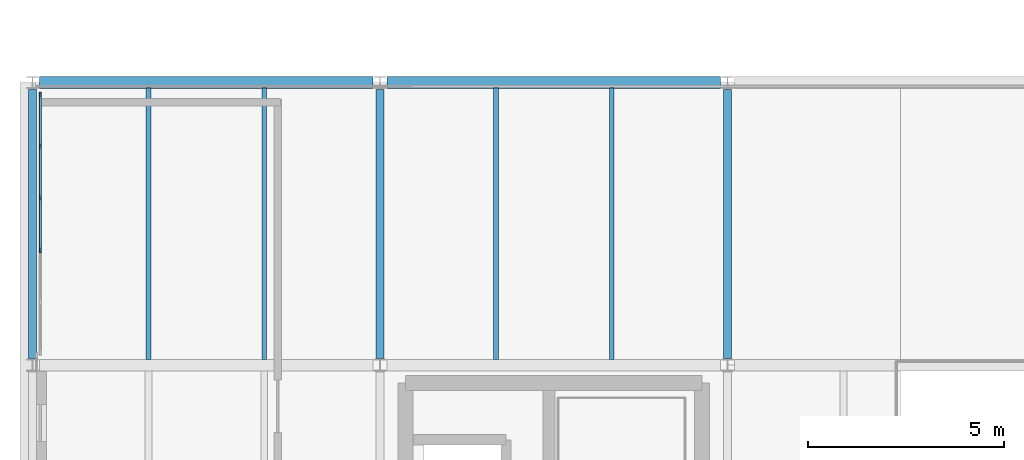
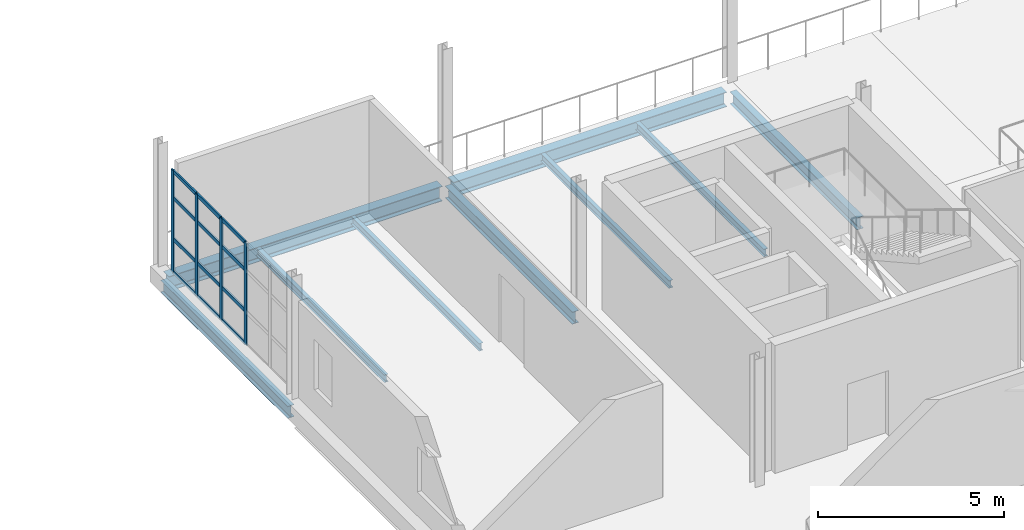
# One storey, part 20 of 58: 16 members, 9 beams, 1 element without a shape of its own.
"""IFC4 building model written with IfcOpenShell, lengths in metres."""

from ifc_helpers import new_model, si_unit, direction, frame, origin, origin_2d, place, context, subcontext, project, spatial, rectangle, i_section, extrude, material, layer, layer_set, material_profile, profile_set, type_object, element, aggregate, save


model = new_model("IFC4")

# Units and contexts
model_context = context("Model", 3, precision=1e-05, world=origin(), true_north=direction((0.0, 1.0)))
body_context = subcontext(model_context, "Body", "Model", "MODEL_VIEW")
ifc_project = project(units=[si_unit("LENGTHUNIT", "METRE"), si_unit("AREAUNIT", "SQUARE_METRE"), si_unit("VOLUMEUNIT", "CUBIC_METRE"), si_unit("PLANEANGLEUNIT", "RADIAN"), si_unit("MASSUNIT", "GRAM", prefix="KILO")], contexts=[model_context])

# Site, building, storey
site_placement = place(None, origin())
site = spatial("IfcSite", under=ifc_project, at=site_placement, CompositionType="ELEMENT")
building_placement = place(site_placement, origin())
building = spatial("IfcBuilding", under=site, at=building_placement, Name="Yeouljin Market Hall", CompositionType="ELEMENT")
storey_placement = place(building_placement, frame((0.0, 0.0, 10.800048828125)))
storey = spatial("IfcBuildingStorey", under=building, at=storey_placement, Name="L02", CompositionType="ELEMENT", Elevation=10.800048828125)

# Beams
ifc_material_1 = material(Name="Steel SM355", Category="steel")
ifc_material_profile_1 = material_profile(ifc_material_1, i_section(OverallWidth=0.199951171875, OverallDepth=0.39990234375, WebThickness=0.008056640625, FlangeThickness=0.012939453125, FilletRadius=0.01611328125, at=origin_2d()), Name="H-400x200x8x13")
ifc_profile_set_1 = profile_set([ifc_material_profile_1], Name="Steel SM355")
beam_type_1 = type_object("IfcBeamType", Name="Beam_H-400x200x8x13", PredefinedType="BEAM", material=ifc_profile_set_1)
for number, where, z_axis, x_axis, name in (
    (1, (0.0, 28.97509765625, -0.465087890625), (0.0, 1.0, 0.0), (-1.0, 0.0, 0.0), "Primary beam BM-L02-Y080"),
    (2, (8.85009765625, 28.97509765625, -0.465087890625), (0.0, 1.0, 0.0), (-1.0, 0.0, 0.0), "Primary beam BM-L02-Y084"),
    (3, (17.699951171875, 28.97509765625, -0.465087890625), (0.0, 1.0, 0.0), (-1.0, 0.0, 0.0), "Primary beam BM-L02-Y088"),
):
    element("IfcBeam", number, at=place(storey_placement, frame(where, z_axis=z_axis, x_axis=x_axis)), inside=storey, type_object=beam_type_1, Name=name, PredefinedType="BEAM", context=body_context, shape_type="SweptSolid", body=[
        extrude(i_section(OverallWidth=0.199951171875, OverallDepth=0.39990234375, WebThickness=0.008056640625, FlangeThickness=0.012939453125, FilletRadius=0.01611328125, at=origin_2d()), origin(), (0.0, 0.0, 1.0), 6.849853515625),
    ])

# Curtain wall, members
ifc_material_2 = material(Name="Thermally Broken Aluminium", Category="aluminium")
ifc_layer = layer(ifc_material_2, 0.14990234375)
ifc_layer_set = layer_set([ifc_layer], Name="Thermally Broken Aluminium")
curtain_wall_type = type_object("IfcCurtainWallType", Name="CW_AcademyRibbon_System", PredefinedType="USERDEFINED", material=ifc_layer_set)
curtain_wall_placement = place(storey_placement, origin())
curtain_wall = element("IfcCurtainWall", 4, at=curtain_wall_placement, inside=storey, type_object=curtain_wall_type, Name="Curtain wall CW-L02-W07", ObjectType="CURTAIN WALL", PredefinedType="USERDEFINED")
ifc_material_3 = material(Name="Thermally Broken Aluminium", Category="aluminium")
ifc_material_profile_2 = material_profile(ifc_material_3, rectangle(XDim=0.048095703125, YDim=0.14990234375, at=origin_2d()), Name="CW-MULL-48x150")
ifc_profile_set_2 = profile_set([ifc_material_profile_2], Name="Thermally Broken Aluminium")
member_type_1 = type_object("IfcMemberType", Name="CWMullion_48x150", PredefinedType="MULLION", material=ifc_profile_set_2)
member_1_placement = place(storey_placement, frame((0.199951171875, 31.739990234375, 0.0), z_axis=(0.0, 0.0, 1.0), x_axis=(-1.0, 0.0, 0.0)))
member_1 = element("IfcMember", 5, at=member_1_placement, type_object=member_type_1, Name="CW-05 mullion 3", PredefinedType="MULLION", context=body_context, shape_type="SweptSolid", body=[
    extrude(rectangle(XDim=0.048095703125, YDim=0.14990234375, at=origin_2d()), origin(), (0.0, 0.0, 1.0), 3.349853515625),
])
member_2_placement = place(storey_placement, frame((0.199951171875, 33.06005859375, 0.0), z_axis=(0.0, 0.0, 1.0), x_axis=(-1.0, 0.0, 0.0)))
member_2 = element("IfcMember", 6, at=member_2_placement, type_object=member_type_1, Name="CW-05 mullion 4", PredefinedType="MULLION", context=body_context, shape_type="SweptSolid", body=[
    extrude(rectangle(XDim=0.048095703125, YDim=0.14990234375, at=origin_2d()), origin(), (0.0, 0.0, 1.0), 3.349853515625),
])
member_3_placement = place(storey_placement, frame((0.199951171875, 34.3798828125, 0.0), z_axis=(0.0, 0.0, 1.0), x_axis=(-1.0, 0.0, 0.0)))
member_3 = element("IfcMember", 7, at=member_3_placement, type_object=member_type_1, Name="CW-05 mullion 5", PredefinedType="MULLION", context=body_context, shape_type="SweptSolid", body=[
    extrude(rectangle(XDim=0.048095703125, YDim=0.14990234375, at=origin_2d()), origin(), (0.0, 0.0, 1.0), 3.349853515625),
])
member_4_placement = place(storey_placement, frame((0.199951171875, 35.676025390625, 0.0), z_axis=(0.0, 0.0, 1.0), x_axis=(-1.0, 0.0, 0.0)))
member_4 = element("IfcMember", 8, at=member_4_placement, type_object=member_type_1, Name="CW-05 mullion 6", PredefinedType="MULLION", context=body_context, shape_type="SweptSolid", body=[
    extrude(rectangle(XDim=0.048095703125, YDim=0.14990234375, at=origin_2d()), origin(), (0.0, 0.0, 1.0), 3.349853515625),
])
ifc_material_4 = material(Name="Thermally Broken Aluminium", Category="aluminium")
ifc_material_profile_3 = material_profile(ifc_material_4, rectangle(XDim=0.048095703125, YDim=0.1201171875, at=origin_2d()), Name="CW-TRAN-48x120")
ifc_profile_set_3 = profile_set([ifc_material_profile_3], Name="Thermally Broken Aluminium")
member_type_2 = type_object("IfcMemberType", Name="CWTransom_48x120", PredefinedType="USERDEFINED", material=ifc_profile_set_3)
member_5_placement = place(storey_placement, frame((0.199951171875, 31.763916015625, 0.02392578125), z_axis=(0.0, 1.0, 0.0), x_axis=(-1.0, 0.0, 0.0)))
member_5 = element("IfcMember", 9, at=member_5_placement, type_object=member_type_2, Name="CW-05 transom 3.1", ObjectType="TRANSOM", PredefinedType="USERDEFINED", context=body_context, shape_type="SweptSolid", body=[
    extrude(rectangle(XDim=0.048095703125, YDim=0.1201171875, at=origin_2d()), origin(), (0.0, 0.0, 1.0), 1.27197265625),
])
member_6_placement = place(storey_placement, frame((0.199951171875, 31.763916015625, 1.099853515625), z_axis=(0.0, 1.0, 0.0), x_axis=(-1.0, 0.0, 0.0)))
member_6 = element("IfcMember", 10, at=member_6_placement, type_object=member_type_2, Name="CW-05 transom 3.2", ObjectType="TRANSOM", PredefinedType="USERDEFINED", context=body_context, shape_type="SweptSolid", body=[
    extrude(rectangle(XDim=0.048095703125, YDim=0.1201171875, at=origin_2d()), origin(), (0.0, 0.0, 1.0), 1.27197265625),
])
member_7_placement = place(storey_placement, frame((0.199951171875, 31.763916015625, 2.449951171875), z_axis=(0.0, 1.0, 0.0), x_axis=(-1.0, 0.0, 0.0)))
member_7 = element("IfcMember", 11, at=member_7_placement, type_object=member_type_2, Name="CW-05 transom 3.3", ObjectType="TRANSOM", PredefinedType="USERDEFINED", context=body_context, shape_type="SweptSolid", body=[
    extrude(rectangle(XDim=0.048095703125, YDim=0.1201171875, at=origin_2d()), origin(), (0.0, 0.0, 1.0), 1.27197265625),
])
member_8_placement = place(storey_placement, frame((0.199951171875, 31.763916015625, 3.325927734375), z_axis=(0.0, 1.0, 0.0), x_axis=(-1.0, 0.0, 0.0)))
member_8 = element("IfcMember", 12, at=member_8_placement, type_object=member_type_2, Name="CW-05 transom 3.4", ObjectType="TRANSOM", PredefinedType="USERDEFINED", context=body_context, shape_type="SweptSolid", body=[
    extrude(rectangle(XDim=0.048095703125, YDim=0.1201171875, at=origin_2d()), origin(), (0.0, 0.0, 1.0), 1.27197265625),
])
member_9_placement = place(storey_placement, frame((0.199951171875, 33.083984375, 0.02392578125), z_axis=(0.0, 1.0, 0.0), x_axis=(-1.0, 0.0, 0.0)))
member_9 = element("IfcMember", 13, at=member_9_placement, type_object=member_type_2, Name="CW-05 transom 4.1", ObjectType="TRANSOM", PredefinedType="USERDEFINED", context=body_context, shape_type="SweptSolid", body=[
    extrude(rectangle(XDim=0.048095703125, YDim=0.1201171875, at=origin_2d()), origin(), (0.0, 0.0, 1.0), 1.27197265625),
])
member_10_placement = place(storey_placement, frame((0.199951171875, 33.083984375, 1.099853515625), z_axis=(0.0, 1.0, 0.0), x_axis=(-1.0, 0.0, 0.0)))
member_10 = element("IfcMember", 14, at=member_10_placement, type_object=member_type_2, Name="CW-05 transom 4.2", ObjectType="TRANSOM", PredefinedType="USERDEFINED", context=body_context, shape_type="SweptSolid", body=[
    extrude(rectangle(XDim=0.048095703125, YDim=0.1201171875, at=origin_2d()), origin(), (0.0, 0.0, 1.0), 1.27197265625),
])
member_11_placement = place(storey_placement, frame((0.199951171875, 33.083984375, 2.449951171875), z_axis=(0.0, 1.0, 0.0), x_axis=(-1.0, 0.0, 0.0)))
member_11 = element("IfcMember", 15, at=member_11_placement, type_object=member_type_2, Name="CW-05 transom 4.3", ObjectType="TRANSOM", PredefinedType="USERDEFINED", context=body_context, shape_type="SweptSolid", body=[
    extrude(rectangle(XDim=0.048095703125, YDim=0.1201171875, at=origin_2d()), origin(), (0.0, 0.0, 1.0), 1.27197265625),
])
member_12_placement = place(storey_placement, frame((0.199951171875, 33.083984375, 3.325927734375), z_axis=(0.0, 1.0, 0.0), x_axis=(-1.0, 0.0, 0.0)))
member_12 = element("IfcMember", 16, at=member_12_placement, type_object=member_type_2, Name="CW-05 transom 4.4", ObjectType="TRANSOM", PredefinedType="USERDEFINED", context=body_context, shape_type="SweptSolid", body=[
    extrude(rectangle(XDim=0.048095703125, YDim=0.1201171875, at=origin_2d()), origin(), (0.0, 0.0, 1.0), 1.27197265625),
])
member_13_placement = place(storey_placement, frame((0.199951171875, 34.404052734375, 0.02392578125), z_axis=(0.0, 1.0, 0.0), x_axis=(-1.0, 0.0, 0.0)))
member_13 = element("IfcMember", 17, at=member_13_placement, type_object=member_type_2, Name="CW-05 transom 5.1", ObjectType="TRANSOM", PredefinedType="USERDEFINED", context=body_context, shape_type="SweptSolid", body=[
    extrude(rectangle(XDim=0.048095703125, YDim=0.1201171875, at=origin_2d()), origin(), (0.0, 0.0, 1.0), 1.248046875),
])
member_14_placement = place(storey_placement, frame((0.199951171875, 34.404052734375, 1.099853515625), z_axis=(0.0, 1.0, 0.0), x_axis=(-1.0, 0.0, 0.0)))
member_14 = element("IfcMember", 18, at=member_14_placement, type_object=member_type_2, Name="CW-05 transom 5.2", ObjectType="TRANSOM", PredefinedType="USERDEFINED", context=body_context, shape_type="SweptSolid", body=[
    extrude(rectangle(XDim=0.048095703125, YDim=0.1201171875, at=origin_2d()), origin(), (0.0, 0.0, 1.0), 1.248046875),
])
member_15_placement = place(storey_placement, frame((0.199951171875, 34.404052734375, 2.449951171875), z_axis=(0.0, 1.0, 0.0), x_axis=(-1.0, 0.0, 0.0)))
member_15 = element("IfcMember", 19, at=member_15_placement, type_object=member_type_2, Name="CW-05 transom 5.3", ObjectType="TRANSOM", PredefinedType="USERDEFINED", context=body_context, shape_type="SweptSolid", body=[
    extrude(rectangle(XDim=0.048095703125, YDim=0.1201171875, at=origin_2d()), origin(), (0.0, 0.0, 1.0), 1.248046875),
])
member_16_placement = place(storey_placement, frame((0.199951171875, 34.404052734375, 3.325927734375), z_axis=(0.0, 1.0, 0.0), x_axis=(-1.0, 0.0, 0.0)))
member_16 = element("IfcMember", 20, at=member_16_placement, type_object=member_type_2, Name="CW-05 transom 5.4", ObjectType="TRANSOM", PredefinedType="USERDEFINED", context=body_context, shape_type="SweptSolid", body=[
    extrude(rectangle(XDim=0.048095703125, YDim=0.1201171875, at=origin_2d()), origin(), (0.0, 0.0, 1.0), 1.248046875),
])
aggregate(curtain_wall, [member_1, member_2, member_3, member_4, member_5, member_6, member_7, member_8, member_9, member_10, member_11, member_12, member_13, member_14, member_15, member_16])

# Beams
ifc_material_5 = material(Name="Steel SM355", Category="steel")
ifc_material_profile_4 = material_profile(ifc_material_5, i_section(OverallWidth=0.300048828125, OverallDepth=0.488037109375, WebThickness=0.010986328125, FlangeThickness=0.01806640625, FilletRadius=0.02197265625, at=origin_2d()), Name="H-488x300x11x18")
ifc_profile_set_4 = profile_set([ifc_material_profile_4], Name="Steel SM355")
beam_type_2 = type_object("IfcBeamType", Name="Girder_H-488x300x11x18", PredefinedType="USERDEFINED", material=ifc_profile_set_4)
for number, where, z_axis, x_axis, name in (
    (21, (0.175048828125, 36.0, -0.509033203125), (1.0, 0.0, 0.0), (0.0, 1.0, 0.0), "Primary girder GRD-L02-X033"),
    (22, (9.02490234375, 36.0, -0.509033203125), (1.0, 0.0, 0.0), (0.0, 1.0, 0.0), "Primary girder GRD-L02-X034"),
):
    element("IfcBeam", number, at=place(storey_placement, frame(where, z_axis=z_axis, x_axis=x_axis)), inside=storey, type_object=beam_type_2, Name=name, ObjectType="GIRDER", PredefinedType="USERDEFINED", context=body_context, shape_type="SweptSolid", body=[
        extrude(i_section(OverallWidth=0.300048828125, OverallDepth=0.488037109375, WebThickness=0.010986328125, FlangeThickness=0.01806640625, FilletRadius=0.02197265625, at=origin_2d()), origin(), (0.0, 0.0, 1.0), 8.5),
    ])
ifc_material_6 = material(Name="Steel SM355", Category="steel")
ifc_material_profile_5 = material_profile(ifc_material_6, i_section(OverallWidth=0.125, OverallDepth=0.25, WebThickness=0.006103515625, FlangeThickness=0.009033203125, FilletRadius=0.011962890625, at=origin_2d()), Name="H-250x125x6x9")
ifc_profile_set_5 = profile_set([ifc_material_profile_5], Name="Steel SM355")
beam_type_3 = type_object("IfcBeamType", Name="Joist_H-250x125x6x9", PredefinedType="JOIST", material=ifc_profile_set_5)
for number, where, z_axis, x_axis, name in (
    (23, (2.949951171875, 28.947021484375, -0.39013671875), (0.0, 1.0, 0.0), (-1.0, 0.0, 0.0), "Secondary floor joist L02-006"),
    (24, (5.89990234375, 28.947021484375, -0.39013671875), (0.0, 1.0, 0.0), (-1.0, 0.0, 0.0), "Secondary floor joist L02-007"),
    (25, (11.800048828125, 28.947021484375, -0.39013671875), (0.0, 1.0, 0.0), (-1.0, 0.0, 0.0), "Secondary floor joist L02-012"),
    (26, (14.75, 28.947021484375, -0.39013671875), (0.0, 1.0, 0.0), (-1.0, 0.0, 0.0), "Secondary floor joist L02-013"),
):
    element("IfcBeam", number, at=place(storey_placement, frame(where, z_axis=z_axis, x_axis=x_axis)), inside=storey, type_object=beam_type_3, Name=name, PredefinedType="JOIST", context=body_context, shape_type="SweptSolid", body=[
        extrude(i_section(OverallWidth=0.125, OverallDepth=0.25, WebThickness=0.006103515625, FlangeThickness=0.009033203125, FilletRadius=0.011962890625, at=origin_2d()), origin(), (0.0, 0.0, 1.0), 6.906005859375),
    ])

save(model, "model.ifc")
